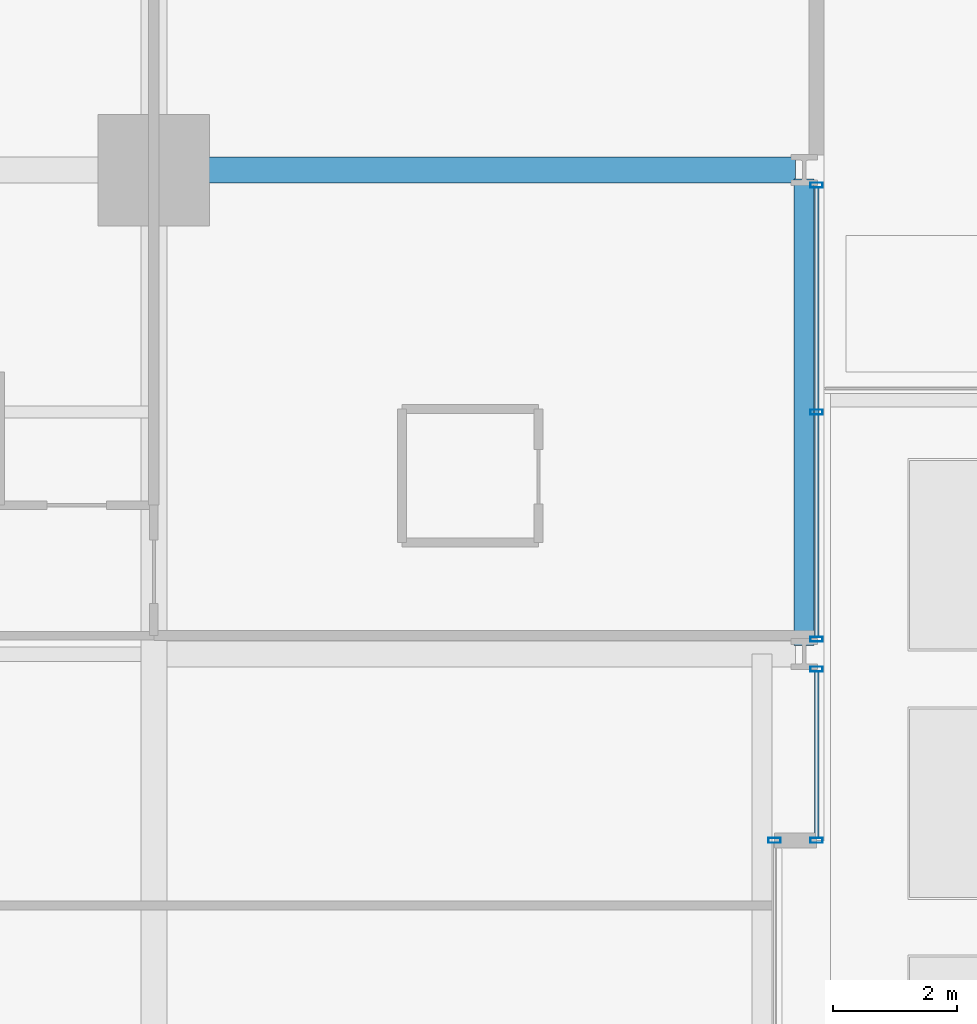
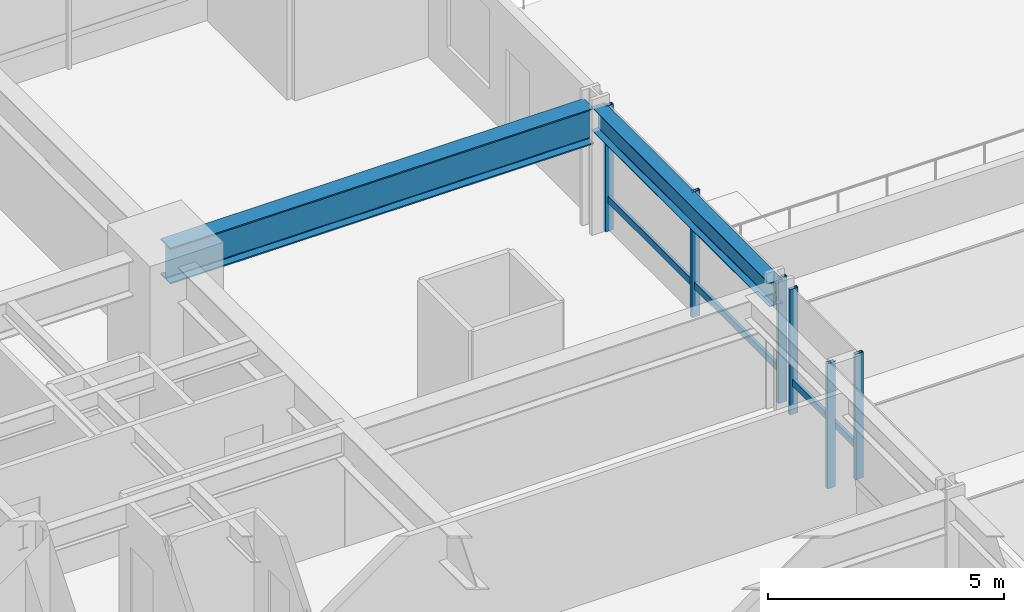
# One storey, part 25 of 42: 8 members, 2 beams, 3 elements without a shape of their own.
"""IFC4 building model written with IfcOpenShell, lengths in metres."""

from ifc_helpers import new_model, si_unit, direction, frame, origin, origin_2d, place, context, subcontext, project, spatial, hollow_rectangle, i_section, extrude, material, layer, layer_set, material_profile, profile_set, type_object, element, aggregate, save


model = new_model("IFC4")

# Units and contexts
model_context = context("Model", 3, precision=1e-05, world=origin(), true_north=direction((0.0, 1.0)))
body_context = subcontext(model_context, "Body", "Model", "MODEL_VIEW")
ifc_project = project(units=[si_unit("LENGTHUNIT", "METRE"), si_unit("AREAUNIT", "SQUARE_METRE"), si_unit("VOLUMEUNIT", "CUBIC_METRE"), si_unit("PLANEANGLEUNIT", "RADIAN"), si_unit("MASSUNIT", "GRAM", prefix="KILO")], contexts=[model_context])

# Site, building, storey
site_placement = place(None, origin())
site = spatial("IfcSite", under=ifc_project, at=site_placement, CompositionType="ELEMENT")
building_placement = place(site_placement, origin())
building = spatial("IfcBuilding", under=site, at=building_placement, Name="Drelvath Grand Hotel", CompositionType="ELEMENT")
storey_placement = place(building_placement, frame((0.0, 0.0, 33.199951171875)))
storey = spatial("IfcBuildingStorey", under=building, at=storey_placement, Name="L06", CompositionType="ELEMENT", Elevation=33.199951171875)

# Curtain wall, member
ifc_material_1 = material(Name="Warm Bronze Anodised Aluminium Frame", Category="aluminium")
ifc_layer = layer(ifc_material_1, 0.199951171875)
ifc_layer_set = layer_set([ifc_layer], Name="Warm Bronze Anodised Aluminium Frame")
curtain_wall_type = type_object("IfcCurtainWallType", Name="Stick Curtain Wall CW-02 Warm Bronze Low-Rise", PredefinedType="NOTDEFINED", material=ifc_layer_set)
curtain_wall_1_placement = place(storey_placement, origin())
curtain_wall_1 = element("IfcCurtainWall", 1, at=curtain_wall_1_placement, inside=storey, type_object=curtain_wall_type, Name="L06 CW-02 Curtain Wall CW02-L06-EN1", PredefinedType="NOTDEFINED")
ifc_material_profile_1 = material_profile(ifc_material_1, hollow_rectangle(XDim=0.074951171875, YDim=0.179931640625, WallThickness=0.0048828125, at=origin_2d()), Name="HSS180X75X5")
ifc_profile_set_1 = profile_set([ifc_material_profile_1], Name="Warm Bronze Anodised Aluminium Frame")
member_type_1 = type_object("IfcMemberType", Name="Curtain Wall Horizontal Transom CW-02 HSS180X75X5", PredefinedType="USERDEFINED", material=ifc_profile_set_1)
member_1_placement = place(storey_placement, frame((26.8798828125, 35.119140625, 0.81005859375), z_axis=(0.0, -1.0, 0.0), x_axis=(1.0, 0.0, 0.0)))
member_1 = element("IfcMember", 2, at=member_1_placement, type_object=member_type_1, Name="CW02-L06-EN1 Sill Transom", ObjectType="TRANSOM", PredefinedType="USERDEFINED", context=body_context, shape_type="SweptSolid", body=[
    extrude(hollow_rectangle(XDim=0.074951171875, YDim=0.179931640625, WallThickness=0.0048828125, at=origin_2d()), origin(), (0.0, 0.0, 1.0), 2.67919921875),
])

curtain_wall_2_placement = place(storey_placement, origin())
curtain_wall_2 = element("IfcCurtainWall", 3, at=curtain_wall_2_placement, inside=storey, type_object=curtain_wall_type, Name="L06 CW-02 Curtain Wall CW02-L06-EN2", PredefinedType="NOTDEFINED")
member_2_placement = place(storey_placement, frame((26.8798828125, 42.919189453125, 0.81005859375), z_axis=(0.0, -1.0, 0.0), x_axis=(1.0, 0.0, 0.0)))
member_2 = element("IfcMember", 4, at=member_2_placement, type_object=member_type_1, Name="CW02-L06-EN2 Sill Transom", ObjectType="TRANSOM", PredefinedType="USERDEFINED", context=body_context, shape_type="SweptSolid", body=[
    extrude(hollow_rectangle(XDim=0.074951171875, YDim=0.179931640625, WallThickness=0.0048828125, at=origin_2d()), origin(), (0.0, 0.0, 1.0), 7.23828125),
])

# Member
ifc_material_profile_2 = material_profile(ifc_material_1, hollow_rectangle(XDim=0.080078125, YDim=0.199951171875, WallThickness=0.0048828125, at=origin_2d()), Name="HSS200X80X5")
ifc_profile_set_2 = profile_set([ifc_material_profile_2], Name="Warm Bronze Anodised Aluminium Frame")
member_type_2 = type_object("IfcMemberType", Name="Curtain Wall Vertical Mullion CW-02 HSS200X80X5", PredefinedType="MULLION", material=ifc_profile_set_2)
member_3_placement = place(storey_placement, frame((26.8798828125, 35.1591796875, 0.0), z_axis=(0.0, 0.0, 1.0), x_axis=(0.0, 1.0, 0.0)))
member_3 = element("IfcMember", 5, at=member_3_placement, type_object=member_type_2, Name="CW02-L06-EN1 Mullion 1", PredefinedType="MULLION", context=body_context, shape_type="SweptSolid", body=[
    extrude(hollow_rectangle(XDim=0.080078125, YDim=0.199951171875, WallThickness=0.0048828125, at=origin_2d()), origin(), (0.0, 0.0, 1.0), 3.239990234375),
])

member_4_placement = place(storey_placement, frame((26.8798828125, 32.39990234375, 0.0), z_axis=(0.0, 0.0, 1.0), x_axis=(0.0, 1.0, 0.0)))
member_4 = element("IfcMember", 6, at=member_4_placement, type_object=member_type_2, Name="CW02-L06-EN1 Mullion 2", PredefinedType="MULLION", context=body_context, shape_type="SweptSolid", body=[
    extrude(hollow_rectangle(XDim=0.080078125, YDim=0.199951171875, WallThickness=0.0048828125, at=origin_2d()), origin(), (0.0, 0.0, 1.0), 3.239990234375),
])

aggregate(curtain_wall_1, [member_3, member_4, member_1])

member_5_placement = place(storey_placement, frame((26.8798828125, 42.958984375, 0.0), z_axis=(0.0, 0.0, 1.0), x_axis=(0.0, 1.0, 0.0)))
member_5 = element("IfcMember", 7, at=member_5_placement, type_object=member_type_2, Name="CW02-L06-EN2 Mullion 1", PredefinedType="MULLION", context=body_context, shape_type="SweptSolid", body=[
    extrude(hollow_rectangle(XDim=0.080078125, YDim=0.199951171875, WallThickness=0.0048828125, at=origin_2d()), origin(), (0.0, 0.0, 1.0), 3.239990234375),
])

member_6_placement = place(storey_placement, frame((26.8798828125, 39.300048828125, 0.0), z_axis=(0.0, 0.0, 1.0), x_axis=(0.0, 1.0, 0.0)))
member_6 = element("IfcMember", 8, at=member_6_placement, type_object=member_type_2, Name="CW02-L06-EN2 Mullion 2", PredefinedType="MULLION", context=body_context, shape_type="SweptSolid", body=[
    extrude(hollow_rectangle(XDim=0.080078125, YDim=0.199951171875, WallThickness=0.0048828125, at=origin_2d()), origin(), (0.0, 0.0, 1.0), 3.239990234375),
])

member_7_placement = place(storey_placement, frame((26.8798828125, 35.640869140625, 0.0), z_axis=(0.0, 0.0, 1.0), x_axis=(0.0, 1.0, 0.0)))
member_7 = element("IfcMember", 9, at=member_7_placement, type_object=member_type_2, Name="CW02-L06-EN2 Mullion 3", PredefinedType="MULLION", context=body_context, shape_type="SweptSolid", body=[
    extrude(hollow_rectangle(XDim=0.080078125, YDim=0.199951171875, WallThickness=0.0048828125, at=origin_2d()), origin(), (0.0, 0.0, 1.0), 3.239990234375),
])

aggregate(curtain_wall_2, [member_5, member_6, member_7, member_2])

# Curtain wall, member
curtain_wall_3_placement = place(storey_placement, origin())
curtain_wall_3 = element("IfcCurtainWall", 10, at=curtain_wall_3_placement, inside=storey, type_object=curtain_wall_type, Name="L06 CW-02 Curtain Wall CW02-L06-EM2", PredefinedType="NOTDEFINED")
member_8_placement = place(storey_placement, frame((26.199951171875, 32.39990234375, 0.0), z_axis=(0.0, 0.0, 1.0), x_axis=(0.0, 1.0, 0.0)))
member_8 = element("IfcMember", 11, at=member_8_placement, type_object=member_type_2, Name="CW02-L06-EM2 Mullion 1", PredefinedType="MULLION", context=body_context, shape_type="SweptSolid", body=[
    extrude(hollow_rectangle(XDim=0.080078125, YDim=0.199951171875, WallThickness=0.0048828125, at=origin_2d()), origin(), (0.0, 0.0, 1.0), 3.239990234375),
])
aggregate(curtain_wall_3, [member_8])

# Beams
ifc_material_2 = material(Name="Steel ASTM A992 Gr 50", Category="steel")
ifc_material_profile_3 = material_profile(ifc_material_2, i_section(OverallWidth=0.323974609375, OverallDepth=0.611083984375, WebThickness=0.0126953125, FlangeThickness=0.01904296875, FilletRadius=0.02197265625, at=origin_2d()), Name="W24X104")
ifc_profile_set_3 = profile_set([ifc_material_profile_3], Name="Steel ASTM A992 Gr 50")
beam_type_1 = type_object("IfcBeamType", Name="Perimeter Spandrel Beam W24X104", PredefinedType="SPANDREL", material=ifc_profile_set_3)
beam_1_placement = place(storey_placement, frame((26.679931640625, 35.5400390625, 2.9345703125), z_axis=(0.0, 1.0, 0.0), x_axis=(-1.0, 0.0, 0.0)))
element("IfcBeam", 12, at=beam_1_placement, inside=storey, type_object=beam_type_1, Name="L06 Spandrel East N", PredefinedType="SPANDREL", context=body_context, shape_type="SweptSolid", body=[
    extrude(i_section(OverallWidth=0.323974609375, OverallDepth=0.611083984375, WebThickness=0.0126953125, FlangeThickness=0.01904296875, FilletRadius=0.02197265625, at=origin_2d()), origin(), (0.0, 0.0, 1.0), 7.52001953125),
])
ifc_material_profile_4 = material_profile(ifc_material_2, i_section(OverallWidth=0.418212890625, OverallDepth=0.926513671875, WebThickness=0.019287109375, FlangeThickness=0.031982421875, FilletRadius=0.028076171875, at=origin_2d()), Name="W36X231")
ifc_profile_set_4 = profile_set([ifc_material_profile_4], Name="Steel ASTM A992 Gr 50")
beam_type_2 = type_object("IfcBeamType", Name="Primary Floor Girder W36X231", PredefinedType="BEAM", material=ifc_profile_set_4)
beam_2_placement = place(storey_placement, frame((16.199951171875, 43.199951171875, 2.77685546875), z_axis=(1.0, 0.0, 0.0), x_axis=(0.0, 1.0, 0.0)))
element("IfcBeam", 13, at=beam_2_placement, inside=storey, type_object=beam_type_2, Name="L06 East Grid Girder G", PredefinedType="BEAM", context=body_context, shape_type="SweptSolid", body=[
    extrude(i_section(OverallWidth=0.418212890625, OverallDepth=0.926513671875, WebThickness=0.019287109375, FlangeThickness=0.031982421875, FilletRadius=0.028076171875, at=origin_2d()), origin(), (0.0, 0.0, 1.0), 10.340087890625),
])

save(model, "model.ifc")
